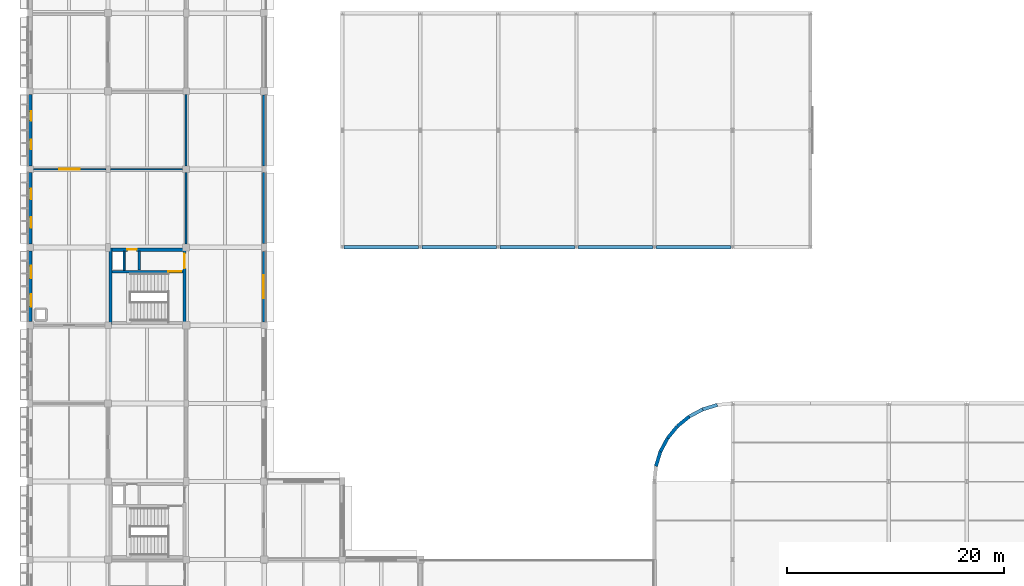
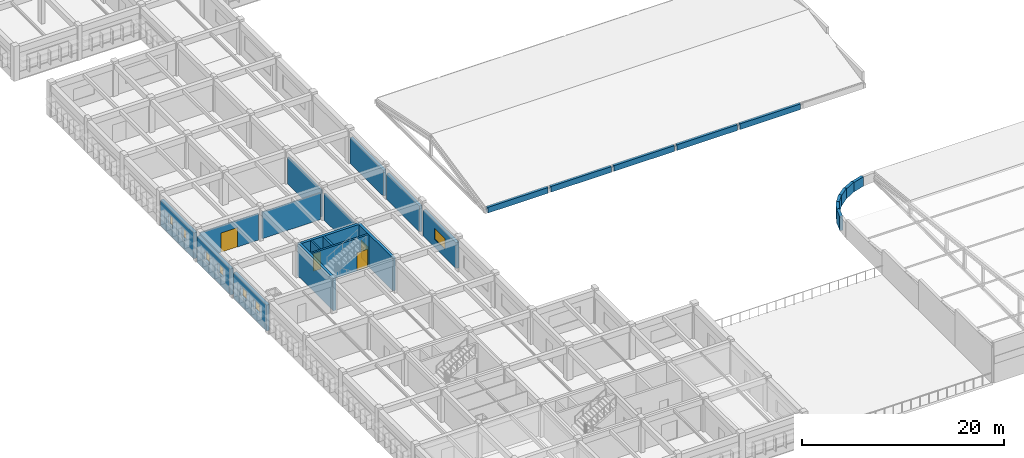
# One storey, part 83 of 103: 27 walls, 7 windows, 4 doors, 11 openings.
"""IFC4 building model written with IfcOpenShell, lengths in metres."""

from ifc_helpers import new_model, si_unit, direction, frame, frame_2d, origin, place, context, subcontext, project, spatial, rectangle, extrude, material, layer, layer_set, type_object, element, fill, save


model = new_model("IFC4")

# Units and contexts
model_context = context("Model", 3, precision=1e-05, world=origin(), true_north=direction((0.0, 1.0)))
body_context = subcontext(model_context, "Body", "Model", "MODEL_VIEW")
ifc_project = project(units=[si_unit("LENGTHUNIT", "METRE"), si_unit("AREAUNIT", "SQUARE_METRE"), si_unit("VOLUMEUNIT", "CUBIC_METRE"), si_unit("PLANEANGLEUNIT", "RADIAN"), si_unit("MASSUNIT", "GRAM", prefix="KILO")], contexts=[model_context])

# Site, building, storey
site_placement = place(None, origin())
site = spatial("IfcSite", under=ifc_project, at=site_placement, CompositionType="ELEMENT")
building_placement = place(site_placement, origin())
building = spatial("IfcBuilding", under=site, at=building_placement, Name="Thalmaran Polytechnic", CompositionType="ELEMENT")
storey_placement = place(building_placement, frame((0.0, 0.0, 14.39990234375)))
storey = spatial("IfcBuildingStorey", under=building, at=storey_placement, Name="L03", CompositionType="ELEMENT", Elevation=14.39990234375)

# Wall, openings, windows
ifc_material_1 = material(Name="Precast concrete C40/50", Category="concrete")
ifc_layer_1 = layer(ifc_material_1, 0.360107421875, Name="Precast concrete C40/50")
ifc_layer_set_1 = layer_set([ifc_layer_1], Name="Precast concrete C40/50")
wall_type_1 = type_object("IfcWallType", Name="WL-EW01", PredefinedType="STANDARD", material=ifc_layer_set_1)
wall_1_placement = place(storey_placement, frame((0.0, 43.5400390625, 0.0), z_axis=(0.0, 0.0, 1.0), x_axis=(0.0, 1.0, 0.0)))
wall_1 = element("IfcWall", 1, at=wall_1_placement, inside=storey, type_object=wall_type_1, Name="Exterior Precast Facade Wall L03-035", PredefinedType="STANDARD", context=body_context, shape_type="SweptSolid", body=[
    extrude(rectangle(XDim=6.534912109375, YDim=0.360107421875, at=frame_2d((3.267578125, 0.0))), origin(), (0.0, 0.0, 1.0), 3.135009765625),
])
opening_1_placement = place(wall_1_placement, frame((1.385498046875, 0.0, 1.14990234375)))
opening_1 = element("IfcOpeningElement", 2, at=opening_1_placement, cuts=wall_1, Name="Opening VW12", PredefinedType="OPENING", context=body_context, shape_type="SweptSolid", body=[
    extrude(rectangle(XDim=1.14990234375, YDim=1.199951171875, at=frame_2d((0.574951171875, 0.60009765625))), frame((0.0, 0.18994140625, 0.0), z_axis=(0.0, -1.0, 0.0), x_axis=(1.0, 0.0, 0.0)), (0.0, 0.0, 1.0), 0.380126953125),
])
opening_2_placement = place(wall_1_placement, frame((3.99951171875, 0.0, 1.14990234375)))
opening_2 = element("IfcOpeningElement", 3, at=opening_2_placement, cuts=wall_1, Name="Opening VW12", PredefinedType="OPENING", context=body_context, shape_type="SweptSolid", body=[
    extrude(rectangle(XDim=1.14990234375, YDim=1.199951171875, at=frame_2d((0.574951171875, 0.60009765625))), frame((0.0, 0.18994140625, 0.0), z_axis=(0.0, -1.0, 0.0), x_axis=(1.0, 0.0, 0.0)), (0.0, 0.0, 1.0), 0.380126953125),
])
ifc_material_2 = material(Name="Thermally broken aluminium and double low-E glass", Category="aluminium")
window_type_1 = type_object("IfcWindowType", Name="WN-VZ12", PartitioningType="SINGLE_PANEL", PredefinedType="WINDOW", material=ifc_material_2)
window_1_placement = place(opening_1_placement, origin())
window_1 = element("IfcWindow", 4, at=window_1_placement, inside=storey, type_object=window_type_1, Name="Deep-Set Solar-Screened Window W-0430", OverallHeight=1.199951171875, OverallWidth=1.14990234375, PartitioningType="SINGLE_PANEL", PredefinedType="WINDOW", context=body_context, shape_type="SweptSolid", body=[
    extrude(rectangle(XDim=1.14990234375, YDim=1.199951171875, at=frame_2d((0.574951171875, 0.60009765625))), frame((0.0, -0.080078125, 0.0), z_axis=(0.0, -1.0, 0.0), x_axis=(1.0, 0.0, 0.0)), (0.0, 0.0, 1.0), 0.06005859375),
])
fill(opening_1, window_1)
window_2_placement = place(opening_2_placement, origin())
window_2 = element("IfcWindow", 5, at=window_2_placement, inside=storey, type_object=window_type_1, Name="Deep-Set Solar-Screened Window W-0431", OverallHeight=1.199951171875, OverallWidth=1.14990234375, PartitioningType="SINGLE_PANEL", PredefinedType="WINDOW", context=body_context, shape_type="SweptSolid", body=[
    extrude(rectangle(XDim=1.14990234375, YDim=1.199951171875, at=frame_2d((0.574951171875, 0.60009765625))), frame((0.0, -0.080078125, 0.0), z_axis=(0.0, -1.0, 0.0), x_axis=(1.0, 0.0, 0.0)), (0.0, 0.0, 1.0), 0.06005859375),
])
fill(opening_2, window_2)

wall_2_placement = place(storey_placement, frame((0.0, 50.72509765625, 0.0), z_axis=(0.0, 0.0, 1.0), x_axis=(0.0, 1.0, 0.0)))
wall_2 = element("IfcWall", 6, at=wall_2_placement, inside=storey, type_object=wall_type_1, Name="Exterior Precast Facade Wall L03-036", PredefinedType="STANDARD", context=body_context, shape_type="SweptSolid", body=[
    extrude(rectangle(XDim=6.56494140625, YDim=0.360107421875, at=frame_2d((3.282470703125, 0.0))), origin(), (0.0, 0.0, 1.0), 3.135009765625),
])
opening_3_placement = place(wall_2_placement, frame((1.469482421875, 0.0, 1.14990234375)))
opening_3 = element("IfcOpeningElement", 7, at=opening_3_placement, cuts=wall_2, Name="Opening VW13", PredefinedType="OPENING", context=body_context, shape_type="SweptSolid", body=[
    extrude(rectangle(XDim=1.0, YDim=1.199951171875, at=frame_2d((0.5, 0.60009765625))), frame((0.0, 0.18994140625, 0.0), z_axis=(0.0, -1.0, 0.0), x_axis=(1.0, 0.0, 0.0)), (0.0, 0.0, 1.0), 0.380126953125),
])
opening_4_placement = place(wall_2_placement, frame((4.095458984375, 0.0, 1.14990234375)))
opening_4 = element("IfcOpeningElement", 8, at=opening_4_placement, cuts=wall_2, Name="Opening VW13", PredefinedType="OPENING", context=body_context, shape_type="SweptSolid", body=[
    extrude(rectangle(XDim=1.0, YDim=1.199951171875, at=frame_2d((0.5, 0.60009765625))), frame((0.0, 0.18994140625, 0.0), z_axis=(0.0, -1.0, 0.0), x_axis=(1.0, 0.0, 0.0)), (0.0, 0.0, 1.0), 0.380126953125),
])
window_type_2 = type_object("IfcWindowType", Name="WN-VZ13", PartitioningType="SINGLE_PANEL", PredefinedType="WINDOW", material=ifc_material_2)
window_3_placement = place(opening_3_placement, origin())
window_3 = element("IfcWindow", 9, at=window_3_placement, inside=storey, type_object=window_type_2, Name="Deep-Set Solar-Screened Window W-0432", OverallHeight=1.199951171875, OverallWidth=1.0, PartitioningType="SINGLE_PANEL", PredefinedType="WINDOW", context=body_context, shape_type="SweptSolid", body=[
    extrude(rectangle(XDim=1.0, YDim=1.199951171875, at=frame_2d((0.5, 0.60009765625))), frame((0.0, -0.080078125, 0.0), z_axis=(0.0, -1.0, 0.0), x_axis=(1.0, 0.0, 0.0)), (0.0, 0.0, 1.0), 0.06005859375),
])
fill(opening_3, window_3)
window_4_placement = place(opening_4_placement, origin())
window_4 = element("IfcWindow", 10, at=window_4_placement, inside=storey, type_object=window_type_2, Name="Deep-Set Solar-Screened Window W-0433", OverallHeight=1.199951171875, OverallWidth=1.0, PartitioningType="SINGLE_PANEL", PredefinedType="WINDOW", context=body_context, shape_type="SweptSolid", body=[
    extrude(rectangle(XDim=1.0, YDim=1.199951171875, at=frame_2d((0.5, 0.60009765625))), frame((0.0, -0.080078125, 0.0), z_axis=(0.0, -1.0, 0.0), x_axis=(1.0, 0.0, 0.0)), (0.0, 0.0, 1.0), 0.06005859375),
])
fill(opening_4, window_4)

wall_3_placement = place(storey_placement, frame((0.0, 57.909912109375, 0.0), z_axis=(0.0, 0.0, 1.0), x_axis=(0.0, 1.0, 0.0)))
wall_3 = element("IfcWall", 11, at=wall_3_placement, inside=storey, type_object=wall_type_1, Name="Exterior Precast Facade Wall L03-037", PredefinedType="STANDARD", context=body_context, shape_type="SweptSolid", body=[
    extrude(rectangle(XDim=6.590087890625, YDim=0.360107421875, at=frame_2d((3.294921875, 0.0))), origin(), (0.0, 0.0, 1.0), 3.135009765625),
])
opening_5_placement = place(wall_3_placement, frame((1.552001953125, 0.0, 1.14990234375)))
opening_5 = element("IfcOpeningElement", 12, at=opening_5_placement, cuts=wall_3, Name="Opening VW14", PredefinedType="OPENING", context=body_context, shape_type="SweptSolid", body=[
    extrude(rectangle(XDim=0.85009765625, YDim=1.25, at=frame_2d((0.425048828125, 0.625))), frame((0.0, 0.18994140625, 0.0), z_axis=(0.0, -1.0, 0.0), x_axis=(1.0, 0.0, 0.0)), (0.0, 0.0, 1.0), 0.380126953125),
])
opening_6_placement = place(wall_3_placement, frame((4.18798828125, 0.0, 1.14990234375)))
opening_6 = element("IfcOpeningElement", 13, at=opening_6_placement, cuts=wall_3, Name="Opening VW14", PredefinedType="OPENING", context=body_context, shape_type="SweptSolid", body=[
    extrude(rectangle(XDim=0.85009765625, YDim=1.25, at=frame_2d((0.425048828125, 0.625))), frame((0.0, 0.18994140625, 0.0), z_axis=(0.0, -1.0, 0.0), x_axis=(1.0, 0.0, 0.0)), (0.0, 0.0, 1.0), 0.380126953125),
])
window_type_3 = type_object("IfcWindowType", Name="WN-VZ14", PartitioningType="SINGLE_PANEL", PredefinedType="WINDOW", material=ifc_material_2)
window_5_placement = place(opening_5_placement, origin())
window_5 = element("IfcWindow", 14, at=window_5_placement, inside=storey, type_object=window_type_3, Name="Deep-Set Solar-Screened Window W-0434", OverallHeight=1.25, OverallWidth=0.85009765625, PartitioningType="SINGLE_PANEL", PredefinedType="WINDOW", context=body_context, shape_type="SweptSolid", body=[
    extrude(rectangle(XDim=0.85009765625, YDim=1.25, at=frame_2d((0.425048828125, 0.625))), frame((0.0, -0.080078125, 0.0), z_axis=(0.0, -1.0, 0.0), x_axis=(1.0, 0.0, 0.0)), (0.0, 0.0, 1.0), 0.06005859375),
])
fill(opening_5, window_5)
window_6_placement = place(opening_6_placement, origin())
window_6 = element("IfcWindow", 15, at=window_6_placement, inside=storey, type_object=window_type_3, Name="Deep-Set Solar-Screened Window W-0435", OverallHeight=1.25, OverallWidth=0.85009765625, PartitioningType="SINGLE_PANEL", PredefinedType="WINDOW", context=body_context, shape_type="SweptSolid", body=[
    extrude(rectangle(XDim=0.85009765625, YDim=1.25, at=frame_2d((0.425048828125, 0.625))), frame((0.0, -0.080078125, 0.0), z_axis=(0.0, -1.0, 0.0), x_axis=(1.0, 0.0, 0.0)), (0.0, 0.0, 1.0), 0.06005859375),
])
fill(opening_6, window_6)

# Walls
ifc_layer_2 = layer(ifc_material_1, 0.330078125, Name="Precast concrete C40/50")
ifc_layer_set_2 = layer_set([ifc_layer_2], Name="Precast concrete C40/50")
wall_type_2 = type_object("IfcWallType", Name="WL-EW02", PredefinedType="STANDARD", material=ifc_layer_set_2)
wall_4_placement = place(storey_placement, frame((62.044677734375, 35.451904296875, -0.02001953125), z_axis=(0.0, 0.0, 1.0), x_axis=(0.956945806495, 0.290266641956, 0.0)))
element("IfcWall", 16, at=wall_4_placement, inside=storey, type_object=wall_type_2, Name="Lecture Auditorium Curved Corner Wall 2", PredefinedType="STANDARD", context=body_context, shape_type="SweptSolid", body=[
    extrude(rectangle(XDim=1.411376953125, YDim=0.320068359375, at=frame_2d((0.70556640625, 0.0))), origin(), (0.0, 0.0, 1.0), 1.13671875),
])
wall_5_placement = place(storey_placement, frame((60.7998046875, 34.78662109375, -0.02001953125), z_axis=(0.0, 0.0, 1.0), x_axis=(0.881955222984, 0.471333199182, 0.0)))
element("IfcWall", 17, at=wall_5_placement, inside=storey, type_object=wall_type_2, Name="Lecture Auditorium Curved Corner Wall 3", PredefinedType="STANDARD", context=body_context, shape_type="SweptSolid", body=[
    extrude(rectangle(XDim=1.411376953125, YDim=0.320068359375, at=frame_2d((0.70556640625, 0.0))), origin(), (0.0, 0.0, 1.0), 1.1943359375),
])
wall_6_placement = place(storey_placement, frame((59.708740234375, 33.89111328125, -0.02001953125), z_axis=(0.0, 0.0, 1.0), x_axis=(0.772977670605, 0.634433227965, 0.0)))
element("IfcWall", 18, at=wall_6_placement, inside=storey, type_object=wall_type_2, Name="Lecture Auditorium Curved Corner Wall 4", PredefinedType="STANDARD", context=body_context, shape_type="SweptSolid", body=[
    extrude(rectangle(XDim=1.41162109375, YDim=0.320068359375, at=frame_2d((0.705810546875, 0.0))), origin(), (0.0, 0.0, 1.0), 1.27783203125),
])
wall_7_placement = place(storey_placement, frame((58.8134765625, 32.800048828125, -0.02001953125), z_axis=(0.0, 0.0, 1.0), x_axis=(0.63432986571, 0.773062495189, 0.0)))
element("IfcWall", 19, at=wall_7_placement, inside=storey, type_object=wall_type_2, Name="Lecture Auditorium Curved Corner Wall 5", PredefinedType="STANDARD", context=body_context, shape_type="SweptSolid", body=[
    extrude(rectangle(XDim=1.411376953125, YDim=0.320068359375, at=frame_2d((0.70556640625, 0.0))), origin(), (0.0, 0.0, 1.0), 1.384033203125),
])
wall_8_placement = place(storey_placement, frame((58.14794921875, 31.555419921875, -0.02001953125), z_axis=(0.0, 0.0, 1.0), x_axis=(0.471539643102, 0.881844864465, 0.0)))
element("IfcWall", 20, at=wall_8_placement, inside=storey, type_object=wall_type_2, Name="Lecture Auditorium Curved Corner Wall 6", PredefinedType="STANDARD", context=body_context, shape_type="SweptSolid", body=[
    extrude(rectangle(XDim=1.411376953125, YDim=0.320068359375, at=frame_2d((0.70556640625, 0.0))), origin(), (0.0, 0.0, 1.0), 1.5087890625),
])
wall_9_placement = place(storey_placement, frame((57.73828125, 30.20458984375, -0.02001953125), z_axis=(0.0, 0.0, 1.0), x_axis=(0.290218599957, 0.95696037757, 0.0)))
element("IfcWall", 21, at=wall_9_placement, inside=storey, type_object=wall_type_2, Name="Lecture Auditorium Curved Corner Wall 7", PredefinedType="STANDARD", context=body_context, shape_type="SweptSolid", body=[
    extrude(rectangle(XDim=1.41162109375, YDim=0.320068359375, at=frame_2d((0.705810546875, 0.0))), origin(), (0.0, 0.0, 1.0), 1.647705078125),
])
ifc_layer_3 = layer(ifc_material_1, 0.31005859375, Name="Precast concrete C40/50")
ifc_layer_set_3 = layer_set([ifc_layer_3], Name="Precast concrete C40/50")
wall_type_3 = type_object("IfcWallType", Name="WL-EW03", PredefinedType="STANDARD", material=ifc_layer_set_3)
for number, where, z_axis, x_axis, name in (
    (22, (28.949951171875, 50.39990234375, -0.02001953125), (0.0, 0.0, 1.0), (1.0, 0.0, 0.0), "Refectory Roof Eave Spandrel S-04"),
    (23, (36.14990234375, 50.39990234375, -0.02001953125), (0.0, 0.0, 1.0), (1.0, 0.0, 0.0), "Refectory Roof Eave Spandrel S-05"),
):
    element("IfcWall", number, at=place(storey_placement, frame(where, z_axis=z_axis, x_axis=x_axis)), inside=storey, type_object=wall_type_3, Name=name, PredefinedType="STANDARD", context=body_context, shape_type="SweptSolid", body=[
        extrude(rectangle(XDim=6.900146484375, YDim=0.31005859375, at=frame_2d((3.4501953125, 0.0))), origin(), (0.0, 0.0, 1.0), 0.690185546875),
    ])
for number, where, z_axis, x_axis, name in (
    (24, (43.35009765625, 50.39990234375, -0.02001953125), (0.0, 0.0, 1.0), (1.0, 0.0, 0.0), "Refectory Roof Eave Spandrel S-06"),
    (25, (50.550048828125, 50.39990234375, -0.02001953125), (0.0, 0.0, 1.0), (1.0, 0.0, 0.0), "Refectory Roof Eave Spandrel S-07"),
    (26, (57.75, 50.39990234375, -0.02001953125), (0.0, 0.0, 1.0), (1.0, 0.0, 0.0), "Refectory Roof Eave Spandrel S-08"),
):
    element("IfcWall", number, at=place(storey_placement, frame(where, z_axis=z_axis, x_axis=x_axis)), inside=storey, type_object=wall_type_3, Name=name, PredefinedType="STANDARD", context=body_context, shape_type="SweptSolid", body=[
        extrude(rectangle(XDim=6.89990234375, YDim=0.31005859375, at=frame_2d((3.449951171875, 0.0))), origin(), (0.0, 0.0, 1.0), 0.690185546875),
    ])
wall_10_placement = place(storey_placement, frame((21.60009765625, 64.4599609375, 0.0), z_axis=(0.0, 0.0, 1.0), x_axis=(0.0, -1.0, 0.0)))
element("IfcWall", 27, at=wall_10_placement, inside=storey, type_object=wall_type_3, Name="Exterior Precast Facade Wall L03-093", PredefinedType="STANDARD", context=body_context, shape_type="SweptSolid", body=[
    extrude(rectangle(XDim=6.5400390625, YDim=0.31005859375, at=frame_2d((3.27001953125, 0.0))), origin(), (0.0, 0.0, 1.0), 3.135009765625),
])
wall_11_placement = place(storey_placement, frame((21.60009765625, 57.280029296875, 0.0), z_axis=(0.0, 0.0, 1.0), x_axis=(0.0, -1.0, 0.0)))
element("IfcWall", 28, at=wall_11_placement, inside=storey, type_object=wall_type_3, Name="Exterior Precast Facade Wall L03-094", PredefinedType="STANDARD", context=body_context, shape_type="SweptSolid", body=[
    extrude(rectangle(XDim=6.505126953125, YDim=0.31005859375, at=frame_2d((3.25244140625, 0.0))), origin(), (0.0, 0.0, 1.0), 3.135009765625),
])

# Wall, opening, window
wall_12_placement = place(storey_placement, frame((21.60009765625, 50.02490234375, 0.0), z_axis=(0.0, 0.0, 1.0), x_axis=(0.0, -1.0, 0.0)))
wall_12 = element("IfcWall", 29, at=wall_12_placement, inside=storey, type_object=wall_type_3, Name="Exterior Precast Facade Wall L03-095", PredefinedType="STANDARD", context=body_context, shape_type="SweptSolid", body=[
    extrude(rectangle(XDim=6.52490234375, YDim=0.31005859375, at=frame_2d((3.262451171875, 0.0))), origin(), (0.0, 0.0, 1.0), 3.135009765625),
])
opening_7_placement = place(wall_12_placement, frame((2.21240234375, 0.0, 0.97998046875)))
opening_7 = element("IfcOpeningElement", 30, at=opening_7_placement, cuts=wall_12, Name="Opening VW20", PredefinedType="OPENING", context=body_context, shape_type="SweptSolid", body=[
    extrude(rectangle(XDim=2.10009765625, YDim=1.300048828125, at=frame_2d((1.050048828125, 0.64990234375))), frame((0.0, 0.1650390625, 0.0), z_axis=(0.0, -1.0, 0.0), x_axis=(1.0, 0.0, 0.0)), (0.0, 0.0, 1.0), 0.330078125),
])
window_type_4 = type_object("IfcWindowType", Name="WN-VZ20", PartitioningType="SINGLE_PANEL", PredefinedType="WINDOW", material=ifc_material_2)
window_7_placement = place(opening_7_placement, origin())
window_7 = element("IfcWindow", 31, at=window_7_placement, inside=storey, type_object=window_type_4, Name="Streamline Ribbon Window W-0510", OverallHeight=1.300048828125, OverallWidth=2.10009765625, PartitioningType="SINGLE_PANEL", PredefinedType="WINDOW", context=body_context, shape_type="SweptSolid", body=[
    extrude(rectangle(XDim=2.10009765625, YDim=1.300048828125, at=frame_2d((1.050048828125, 0.64990234375))), frame((0.0, -0.030029296875, 0.0), z_axis=(0.0, -1.0, 0.0), x_axis=(1.0, 0.0, 0.0)), (0.0, 0.0, 1.0), 0.06005859375),
])
fill(opening_7, window_7)

# Walls
ifc_material_3 = material(Name="Autoclaved aerated masonry", Category="masonry")
ifc_layer_4 = layer(ifc_material_3, 0.22998046875, Name="Autoclaved aerated masonry")
ifc_layer_set_4 = layer_set([ifc_layer_4], Name="Autoclaved aerated masonry")
wall_type_4 = type_object("IfcWallType", Name="WL-IW02", PredefinedType="PARTITIONING", material=ifc_layer_set_4)
wall_13_placement = place(storey_placement, frame((10.10009765625, 48.300048828125, 0.0), z_axis=(0.0, 0.0, 1.0), x_axis=(0.0, 1.0, 0.0)))
element("IfcWall", 32, at=wall_13_placement, inside=storey, type_object=wall_type_4, Name="Core C4 Riser Partition L03", PredefinedType="PARTITIONING", context=body_context, shape_type="SweptSolid", body=[
    extrude(rectangle(XDim=1.739990234375, YDim=0.22998046875, at=frame_2d((0.8701171875, 0.0))), origin(), (0.0, 0.0, 1.0), 3.940185546875),
])
ifc_layer_5 = layer(ifc_material_3, 0.179931640625, Name="Autoclaved aerated masonry")
ifc_layer_set_5 = layer_set([ifc_layer_5], Name="Autoclaved aerated masonry")
wall_type_5 = type_object("IfcWallType", Name="WL-IW04", PredefinedType="PARTITIONING", material=ifc_layer_set_5)
wall_14_placement = place(storey_placement, frame((8.679931640625, 48.280029296875, 0.0), z_axis=(0.0, 0.0, 1.0), x_axis=(0.0, 1.0, 0.0)))
element("IfcWall", 33, at=wall_14_placement, inside=storey, type_object=wall_type_5, Name="Core C4 Riser Shaft Enclosure Wall L03", PredefinedType="PARTITIONING", context=body_context, shape_type="SweptSolid", body=[
    extrude(rectangle(XDim=1.760009765625, YDim=0.179931640625, at=frame_2d((0.8798828125, 0.0))), origin(), (0.0, 0.0, 1.0), 3.940185546875),
])
ifc_material_4 = material(Name="Gypsum acoustic partition")
ifc_layer_6 = layer(ifc_material_4, 0.159912109375, Name="Gypsum acoustic partition")
ifc_layer_set_6 = layer_set([ifc_layer_6], Name="Gypsum acoustic partition")
wall_type_6 = type_object("IfcWallType", Name="WL-IW05", PredefinedType="PARTITIONING", material=ifc_layer_set_6)
wall_15_placement = place(storey_placement, frame((14.39990234375, 50.72998046875, 0.0), z_axis=(0.0, 0.0, 1.0), x_axis=(0.0, 1.0, 0.0)))
element("IfcWall", 34, at=wall_15_placement, inside=storey, type_object=wall_type_6, Name="Interior Partition IW05 L03-014", PredefinedType="PARTITIONING", context=body_context, shape_type="SweptSolid", body=[
    extrude(rectangle(XDim=6.554931640625, YDim=0.159912109375, at=frame_2d((3.27734375, 0.0))), origin(), (0.0, 0.0, 1.0), 3.25),
])
wall_16_placement = place(storey_placement, frame((14.39990234375, 57.9150390625, 0.0), z_axis=(0.0, 0.0, 1.0), x_axis=(0.0, 1.0, 0.0)))
element("IfcWall", 35, at=wall_16_placement, inside=storey, type_object=wall_type_6, Name="Interior Partition IW05 L03-016", PredefinedType="PARTITIONING", context=body_context, shape_type="SweptSolid", body=[
    extrude(rectangle(XDim=6.580078125, YDim=0.159912109375, at=frame_2d((3.2900390625, 0.0))), origin(), (0.0, 0.0, 1.0), 3.2451171875),
])

# Wall, opening, door
ifc_layer_7 = layer(ifc_material_4, 0.114990234375, Name="Gypsum acoustic partition")
ifc_layer_set_7 = layer_set([ifc_layer_7], Name="Gypsum acoustic partition")
wall_type_7 = type_object("IfcWallType", Name="WL-IW08", PredefinedType="PARTITIONING", material=ifc_layer_set_7)
wall_17_placement = place(storey_placement, frame((0.31494140625, 57.60009765625, 0.0), z_axis=(0.0, 0.0, 1.0), x_axis=(1.0, 0.0, 0.0)))
wall_17 = element("IfcWall", 36, at=wall_17_placement, inside=storey, type_object=wall_type_7, Name="Interior Partition IW08 L03-005", PredefinedType="PARTITIONING", context=body_context, shape_type="SweptSolid", body=[
    extrude(rectangle(XDim=6.670166015625, YDim=0.114990234375, at=frame_2d((3.3349609375, 0.0))), origin(), (0.0, 0.0, 1.0), 3.215087890625),
])
opening_8_placement = place(wall_17_placement, frame((2.375, 0.0, 0.0)))
opening_8 = element("IfcOpeningElement", 37, at=opening_8_placement, cuts=wall_17, Name="Opening D-L03-007-1-07-1", PredefinedType="OPENING", context=body_context, shape_type="SweptSolid", body=[
    extrude(rectangle(XDim=1.919921875, YDim=2.35009765625, at=frame_2d((0.9599609375, 1.175048828125))), frame((0.0, 0.0673828125, 0.0), z_axis=(0.0, -1.0, 0.0), x_axis=(1.0, 0.0, 0.0)), (0.0, 0.0, 1.0), 0.135009765625),
])
ifc_material_5 = material(Name="Acoustic hardwood and vision glass", Category="wood")
door_type_1 = type_object("IfcDoorType", Name="DR-ZD01", OperationType="NOTDEFINED", PredefinedType="DOOR", material=ifc_material_5)
door_1_placement = place(opening_8_placement, origin())
door_1 = element("IfcDoor", 38, at=door_1_placement, inside=storey, type_object=door_type_1, Name="Architecture Design Studio L03-07 Door 1", OperationType="SINGLE_SWING_LEFT", OverallHeight=2.35009765625, OverallWidth=1.919921875, PredefinedType="DOOR", context=body_context, shape_type="SweptSolid", body=[
    extrude(rectangle(XDim=1.919921875, YDim=2.35009765625, at=frame_2d((0.9599609375, 1.175048828125))), frame((0.0, 0.02490234375, 0.0), z_axis=(0.0, -1.0, 0.0), x_axis=(1.0, 0.0, 0.0)), (0.0, 0.0, 1.0), 0.050048828125),
])
fill(opening_8, door_1)

# Walls
wall_18_placement = place(storey_placement, frame((7.4150390625, 57.60009765625, 0.0), z_axis=(0.0, 0.0, 1.0), x_axis=(1.0, 0.0, 0.0)))
element("IfcWall", 39, at=wall_18_placement, inside=storey, type_object=wall_type_7, Name="Interior Partition IW08 L03-015", PredefinedType="PARTITIONING", context=body_context, shape_type="SweptSolid", body=[
    extrude(rectangle(XDim=6.669921875, YDim=0.114990234375, at=frame_2d((3.3349609375, 0.0))), origin(), (0.0, 0.0, 1.0), 3.22021484375),
])
ifc_material_6 = material(Name="Concrete C50/60", Category="concrete")
ifc_layer_8 = layer(ifc_material_6, 0.300048828125, Name="Concrete C50/60")
ifc_layer_set_8 = layer_set([ifc_layer_8], Name="Concrete C50/60")
wall_type_8 = type_object("IfcWallType", Name="WL-SW04", PredefinedType="SHEAR", material=ifc_layer_set_8)
wall_19_placement = place(storey_placement, frame((7.419921875, 50.330078125, 0.0), z_axis=(0.0, 0.0, 1.0), x_axis=(0.0, -1.0, 0.0)))
element("IfcWall", 40, at=wall_19_placement, inside=storey, type_object=wall_type_8, Name="Core C4 West Shear Wall L03", PredefinedType="SHEAR", context=body_context, shape_type="SweptSolid", body=[
    extrude(rectangle(XDim=7.06005859375, YDim=0.300048828125, at=frame_2d((3.530029296875, 0.0))), origin(), (0.0, 0.0, 1.0), 3.940185546875),
])

# Wall, opening, door
wall_20_placement = place(storey_placement, frame((7.570068359375, 50.179931640625, 0.0), z_axis=(0.0, 0.0, 1.0), x_axis=(1.0, 0.0, 0.0)))
wall_20 = element("IfcWall", 41, at=wall_20_placement, inside=storey, type_object=wall_type_8, Name="Core C4 North Shear Wall L03", PredefinedType="SHEAR", context=body_context, shape_type="SweptSolid", body=[
    extrude(rectangle(XDim=6.5400390625, YDim=0.300048828125, at=frame_2d((3.27001953125, 0.0))), origin(), (0.0, 0.0, 1.0), 3.940185546875),
])
opening_9_placement = place(wall_20_placement, frame((1.419921875, 0.0, 0.0)))
opening_9 = element("IfcOpeningElement", 42, at=opening_9_placement, cuts=wall_20, Name="Opening DR-C4-L03-R", PredefinedType="OPENING", context=body_context, shape_type="SweptSolid", body=[
    extrude(rectangle(XDim=0.85009765625, YDim=2.10009765625, at=frame_2d((0.425048828125, 1.050048828125))), frame((0.0, 0.159912109375, 0.0), z_axis=(0.0, -1.0, 0.0), x_axis=(1.0, 0.0, 0.0)), (0.0, 0.0, 1.0), 0.320068359375),
])
ifc_material_7 = material(Name="Powder-coated fire-rated steel", Category="steel")
door_type_2 = type_object("IfcDoorType", Name="DR-FD09", OperationType="NOTDEFINED", PredefinedType="DOOR", material=ifc_material_7)
door_2_placement = place(opening_9_placement, origin())
door_2 = element("IfcDoor", 43, at=door_2_placement, inside=storey, type_object=door_type_2, Name="Riser Access Fire Door C4 L03", OperationType="SINGLE_SWING_RIGHT", OverallHeight=2.10009765625, OverallWidth=0.85009765625, PredefinedType="DOOR", context=body_context, shape_type="SweptSolid", body=[
    extrude(rectangle(XDim=0.85009765625, YDim=2.10009765625, at=frame_2d((0.425048828125, 1.050048828125))), frame((0.0, 0.02490234375, 0.0), z_axis=(0.0, -1.0, 0.0), x_axis=(1.0, 0.0, 0.0)), (0.0, 0.0, 1.0), 0.050048828125),
])
fill(opening_9, door_2)

wall_21_placement = place(storey_placement, frame((7.570068359375, 48.159912109375, 0.0), z_axis=(0.0, 0.0, 1.0), x_axis=(1.0, 0.0, 0.0)))
wall_21 = element("IfcWall", 44, at=wall_21_placement, inside=storey, type_object=wall_type_8, Name="Core C4 Stair Partition L03", PredefinedType="SHEAR", context=body_context, shape_type="SweptSolid", body=[
    extrude(rectangle(XDim=6.5400390625, YDim=0.219970703125, at=frame_2d((3.27001953125, 0.0))), origin(), (0.0, 0.0, 1.0), 3.940185546875),
])
opening_10_placement = place(wall_21_placement, frame((5.199951171875, 0.0, 0.0)))
opening_10 = element("IfcOpeningElement", 45, at=opening_10_placement, cuts=wall_21, Name="Opening SD-ST4-L03", PredefinedType="OPENING", context=body_context, shape_type="SweptSolid", body=[
    extrude(rectangle(XDim=1.199951171875, YDim=2.199951171875, at=frame_2d((0.60009765625, 1.10009765625))), frame((0.0, 0.119873046875, 0.0), z_axis=(0.0, -1.0, 0.0), x_axis=(1.0, 0.0, 0.0)), (0.0, 0.0, 1.0), 0.239990234375),
])
door_type_3 = type_object("IfcDoorType", Name="DR-FD04", OperationType="NOTDEFINED", PredefinedType="DOOR", material=ifc_material_7)
door_3_placement = place(opening_10_placement, origin())
door_3 = element("IfcDoor", 46, at=door_3_placement, inside=storey, type_object=door_type_3, Name="Exit Stair Fire Door ST4 L03", OperationType="DOUBLE_DOOR_SINGLE_SWING", OverallHeight=2.199951171875, OverallWidth=1.199951171875, PredefinedType="DOOR", context=body_context, shape_type="SweptSolid", body=[
    extrude(rectangle(XDim=1.199951171875, YDim=2.199951171875, at=frame_2d((0.60009765625, 1.10009765625))), frame((0.0, 0.02490234375, 0.0), z_axis=(0.0, -1.0, 0.0), x_axis=(1.0, 0.0, 0.0)), (0.0, 0.0, 1.0), 0.050048828125),
])
fill(opening_10, door_3)

wall_22_placement = place(storey_placement, frame((14.260009765625, 43.27001953125, 0.0), z_axis=(0.0, 0.0, 1.0), x_axis=(0.0, 1.0, 0.0)))
wall_22 = element("IfcWall", 47, at=wall_22_placement, inside=storey, type_object=wall_type_8, Name="Core C4 East Shear Wall L03", PredefinedType="SHEAR", context=body_context, shape_type="SweptSolid", body=[
    extrude(rectangle(XDim=7.06005859375, YDim=0.300048828125, at=frame_2d((3.530029296875, 0.0))), origin(), (0.0, 0.0, 1.0), 3.940185546875),
])
opening_11_placement = place(wall_22_placement, frame((5.199951171875, 0.0, 0.0)))
opening_11 = element("IfcOpeningElement", 48, at=opening_11_placement, cuts=wall_22, Name="Opening LD-C4-L03", PredefinedType="OPENING", context=body_context, shape_type="SweptSolid", body=[
    extrude(rectangle(XDim=1.35009765625, YDim=2.14990234375, at=frame_2d((0.675048828125, 1.074951171875))), frame((0.0, 0.159912109375, 0.0), z_axis=(0.0, -1.0, 0.0), x_axis=(1.0, 0.0, 0.0)), (0.0, 0.0, 1.0), 0.320068359375),
])
door_type_4 = type_object("IfcDoorType", Name="DR-FD06", OperationType="NOTDEFINED", PredefinedType="DOOR", material=ifc_material_7)
door_4_placement = place(opening_11_placement, origin())
door_4 = element("IfcDoor", 49, at=door_4_placement, inside=storey, type_object=door_type_4, Name="Stair Lobby Fire Door C4 L03", OperationType="SINGLE_SWING_LEFT", OverallHeight=2.14990234375, OverallWidth=1.35009765625, PredefinedType="DOOR", context=body_context, shape_type="SweptSolid", body=[
    extrude(rectangle(XDim=1.35009765625, YDim=2.14990234375, at=frame_2d((0.675048828125, 1.074951171875))), frame((0.0, 0.02490234375, 0.0), z_axis=(0.0, -1.0, 0.0), x_axis=(1.0, 0.0, 0.0)), (0.0, 0.0, 1.0), 0.050048828125),
])
fill(opening_11, door_4)

save(model, "model.ifc")
